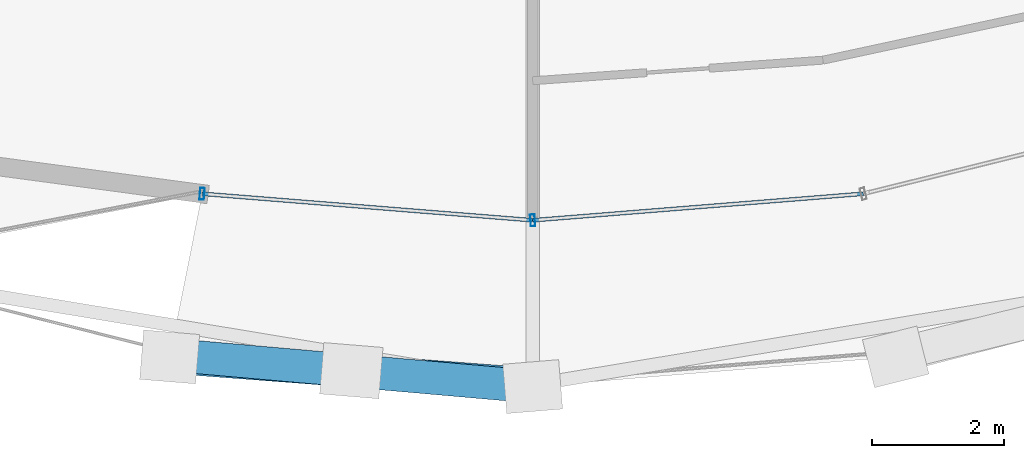
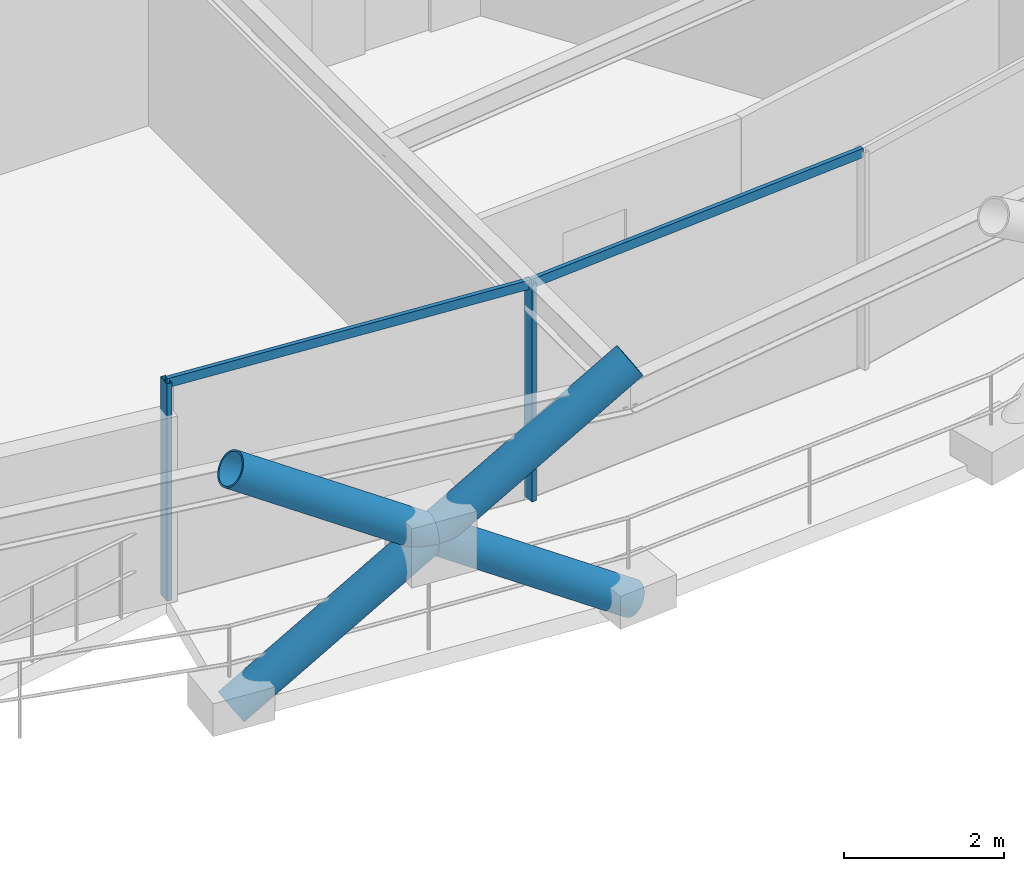
# One storey, part 2 of 19: 7 members, 1 element without a shape of its own.
"""IFC4 building model written with IfcOpenShell, lengths in metres."""

from ifc_helpers import new_model, si_unit, direction, frame, origin, origin_2d, place, context, subcontext, project, spatial, hollow_rectangle, hollow_circle, extrude, material, layer, layer_set, material_profile, profile_set, type_object, element, aggregate, save


model = new_model("IFC4")

# Units and contexts
model_context = context("Model", 3, precision=1e-05, world=origin(), true_north=direction((0.0, 1.0)))
body_context = subcontext(model_context, "Body", "Model", "MODEL_VIEW")
ifc_project = project(units=[si_unit("LENGTHUNIT", "METRE"), si_unit("AREAUNIT", "SQUARE_METRE"), si_unit("VOLUMEUNIT", "CUBIC_METRE"), si_unit("PLANEANGLEUNIT", "RADIAN"), si_unit("MASSUNIT", "GRAM", prefix="KILO")], contexts=[model_context])

# Site, building, storey
site_placement = place(None, origin())
site = spatial("IfcSite", under=ifc_project, at=site_placement, CompositionType="ELEMENT")
building_placement = place(site_placement, origin())
building = spatial("IfcBuilding", under=site, at=building_placement, Name="Veldorina Hangang Commons", CompositionType="ELEMENT")
storey_placement = place(building_placement, frame((0.0, 0.0, 160.39990234375)))
storey = spatial("IfcBuildingStorey", under=building, at=storey_placement, Name="L41", CompositionType="ELEMENT", Elevation=160.39990234375)

# Curtain wall, members
ifc_material_1 = material(Name="Glass Low-E Triple IGU", Category="glass")
ifc_layer = layer(ifc_material_1, 0.179931640625)
ifc_layer_set = layer_set([ifc_layer], Name="Glass Low-E Triple IGU")
curtain_wall_type = type_object("IfcCurtainWallType", Name="CW-SYS-Z2", PredefinedType="NOTDEFINED", material=ifc_layer_set)
curtain_wall_placement = place(storey_placement, origin())
curtain_wall = element("IfcCurtainWall", 1, at=curtain_wall_placement, inside=storey, type_object=curtain_wall_type, Name="L41 unitised curtain wall CW-L41-R1", PredefinedType="NOTDEFINED")
ifc_material_2 = material(Name="Aluminium Anodized AA6063-T6", Category="aluminium")
ifc_material_profile_1 = material_profile(ifc_material_2, hollow_rectangle(XDim=0.070068359375, YDim=0.179931640625, WallThickness=0.00390625, at=origin_2d()), Name="ALU-RHS-180x70x4")
ifc_profile_set_1 = profile_set([ifc_material_profile_1], Name="Aluminium Anodized AA6063-T6")
member_type_1 = type_object("IfcMemberType", Name="CW-MUL-180", PredefinedType="MULLION", material=ifc_profile_set_1)
member_1_placement = place(storey_placement, frame((26.9921875, 3.489501953125, 0.0), z_axis=(0.0, 0.0, 1.0), x_axis=(0.996797049358, -0.079972760313, 0.0)))
member_1 = element("IfcMember", 2, at=member_1_placement, type_object=member_type_1, Name="CW-L41-R1 vertical mullion 1", PredefinedType="MULLION", context=body_context, shape_type="SweptSolid", body=[
    extrude(hollow_rectangle(XDim=0.070068359375, YDim=0.179931640625, WallThickness=0.00390625, at=origin_2d()), origin(), (0.0, 0.0, 1.0), 3.31005859375),
])
member_2_placement = place(storey_placement, frame((32.0, 3.087890625, 0.0), z_axis=(0.0, 0.0, 1.0), x_axis=(0.996797049358, 0.079972760313, 0.0)))
member_2 = element("IfcMember", 3, at=member_2_placement, type_object=member_type_1, Name="CW-L41-R1 vertical mullion 2", PredefinedType="MULLION", context=body_context, shape_type="SweptSolid", body=[
    extrude(hollow_rectangle(XDim=0.070068359375, YDim=0.179931640625, WallThickness=0.00390625, at=origin_2d()), origin(), (0.0, 0.0, 1.0), 3.31005859375),
])
ifc_material_profile_2 = material_profile(ifc_material_2, hollow_rectangle(XDim=0.06005859375, YDim=0.139892578125, WallThickness=0.00341796875, at=origin_2d()), Name="ALU-RHS-140x60x3.5")
ifc_profile_set_2 = profile_set([ifc_material_profile_2], Name="Aluminium Anodized AA6063-T6")
member_type_2 = type_object("IfcMemberType", Name="CW-TRN-140", PredefinedType="USERDEFINED", material=ifc_profile_set_2)
member_3_placement = place(storey_placement, frame((26.9921875, 3.489501953125, 3.27001953125), z_axis=(0.996799653124, -0.079940299795, 0.0), x_axis=(0.079940299795, 0.996799653124, 0.0)))
member_3 = element("IfcMember", 4, at=member_3_placement, type_object=member_type_2, Name="CW-L41-R1 facet 1 transom 1", ObjectType="TRANSOM", PredefinedType="USERDEFINED", context=body_context, shape_type="SweptSolid", body=[
    extrude(hollow_rectangle(XDim=0.06005859375, YDim=0.139892578125, WallThickness=0.00341796875, at=origin_2d()), origin(), (0.0, 0.0, 1.0), 5.02392578125),
])
member_4_placement = place(storey_placement, frame((32.0, 3.087890625, 3.27001953125), z_axis=(0.996799653124, 0.079940299795, 0.0), x_axis=(-0.079940299795, 0.996799653124, 0.0)))
member_4 = element("IfcMember", 5, at=member_4_placement, type_object=member_type_2, Name="CW-L41-R1 facet 2 transom 1", ObjectType="TRANSOM", PredefinedType="USERDEFINED", context=body_context, shape_type="SweptSolid", body=[
    extrude(hollow_rectangle(XDim=0.06005859375, YDim=0.139892578125, WallThickness=0.00341796875, at=origin_2d()), origin(), (0.0, 0.0, 1.0), 5.02392578125),
])
aggregate(curtain_wall, [member_1, member_2, member_3, member_4])

# Members
ifc_material_3 = material(Name="Steel SM420-TMC", Category="steel")
ifc_material_profile_3 = material_profile(ifc_material_3, hollow_circle(Radius=0.25, WallThickness=0.02490234375, at=origin_2d()), Name="CHS-500x25")
ifc_profile_set_3 = profile_set([ifc_material_profile_3], Name="Steel SM420-TMC")
member_type_3 = type_object("IfcMemberType", Name="DG-CHS500", PredefinedType="BRACE", material=ifc_profile_set_3)
member_5_placement = place(storey_placement, frame((26.50048828125, 1.01806640625, 0.0), z_axis=(0.834989951369, -0.063385990271, 0.546602229552), x_axis=(0.075694491111, 0.99713105659, 0.0)))
element("IfcMember", 6, at=member_5_placement, inside=storey, type_object=member_type_3, Name="L41 continuous perimeter diagrid brace 23", PredefinedType="BRACE", context=body_context, shape_type="SweptSolid", body=[
    extrude(hollow_circle(Radius=0.25, WallThickness=0.02490234375, at=origin_2d()), origin(), (0.0, 0.0, 1.0), 6.58642578125),
])
member_6_placement = place(storey_placement, frame((32.0, 0.56787109375, 0.0), z_axis=(-0.834000030127, 0.073224209523, 0.54688405068), x_axis=(-0.087462348891, -0.996167825984, 0.0)))
element("IfcMember", 7, at=member_6_placement, inside=storey, type_object=member_type_3, Name="L41 split perimeter diagrid lower brace 24", PredefinedType="BRACE", context=body_context, shape_type="SweptSolid", body=[
    extrude(hollow_circle(Radius=0.25, WallThickness=0.02490234375, at=origin_2d()), origin(), (0.0, 0.0, 1.0), 3.294189453125),
])
member_7_placement = place(storey_placement, frame((29.252685546875, 0.80908203125, 1.801513671875), z_axis=(-0.834004059638, 0.073267646361, 0.546872087882), x_axis=(-0.087513415014, -0.996163341121, 0.0)))
element("IfcMember", 8, at=member_7_placement, inside=storey, type_object=member_type_3, Name="L41 split perimeter diagrid upper brace 24", PredefinedType="BRACE", context=body_context, shape_type="SweptSolid", body=[
    extrude(hollow_circle(Radius=0.25, WallThickness=0.02490234375, at=origin_2d()), origin(), (0.0, 0.0, 1.0), 3.288818359375),
])

save(model, "model.ifc")
